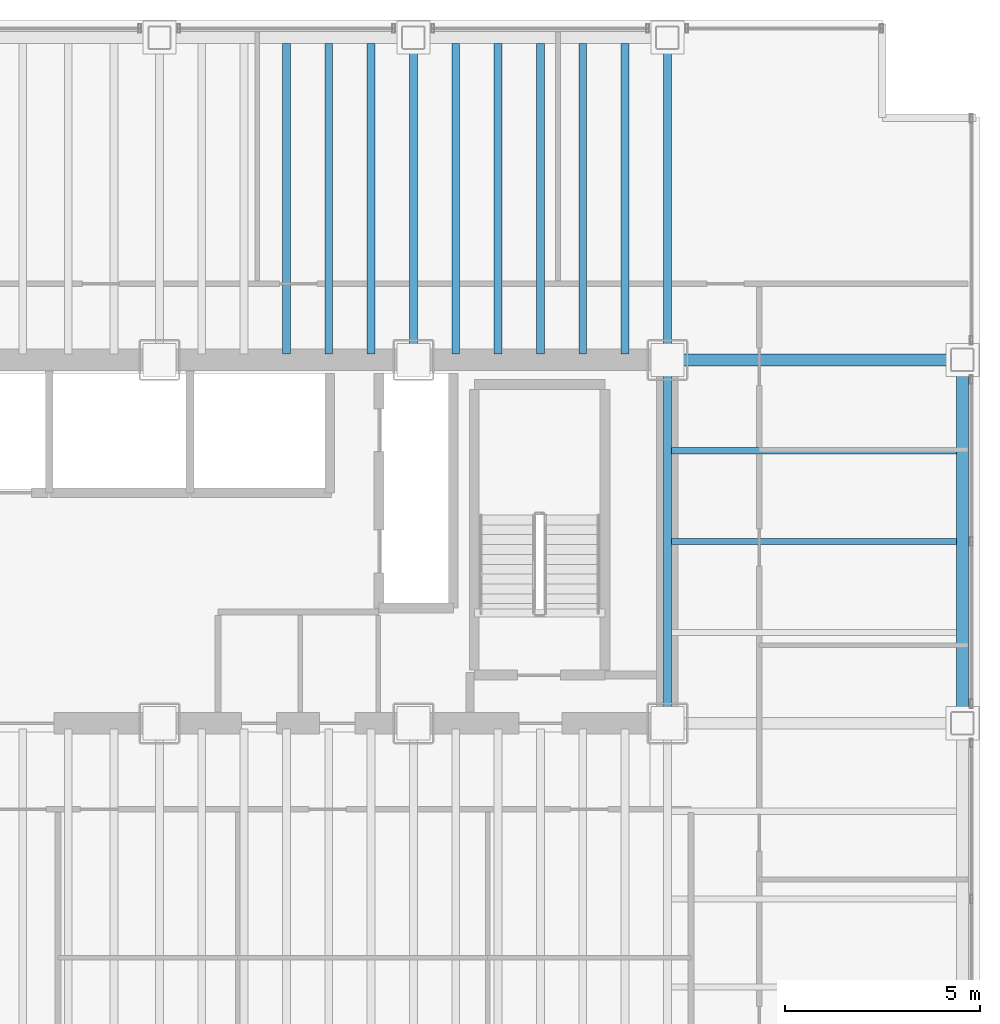
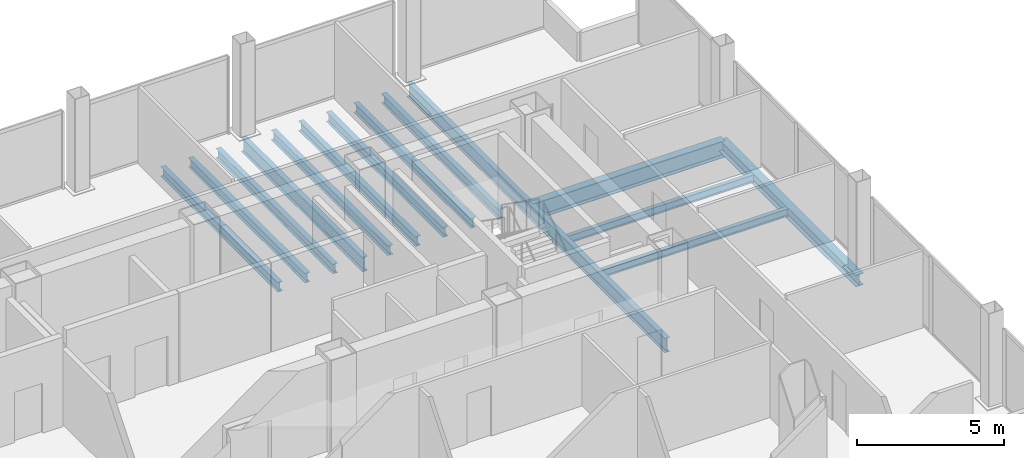
# One storey, part 12 of 21: 15 beams.
"""IFC4 building model written with IfcOpenShell, lengths in metres."""

from ifc_helpers import new_model, si_unit, direction, frame, origin, origin_2d, place, context, subcontext, project, spatial, i_section, extrude, material, material_profile, profile_set, type_object, element, save


model = new_model("IFC4")

# Units and contexts
model_context = context("Model", 3, precision=1e-05, world=origin(), true_north=direction((0.0, 1.0)))
body_context = subcontext(model_context, "Body", "Model", "MODEL_VIEW")
ifc_project = project(units=[si_unit("LENGTHUNIT", "METRE"), si_unit("AREAUNIT", "SQUARE_METRE"), si_unit("VOLUMEUNIT", "CUBIC_METRE"), si_unit("PLANEANGLEUNIT", "RADIAN"), si_unit("MASSUNIT", "GRAM", prefix="KILO")], contexts=[model_context])

# Site, building, storey
site_placement = place(None, origin())
site = spatial("IfcSite", under=ifc_project, at=site_placement, CompositionType="ELEMENT")
building_placement = place(site_placement, origin())
building = spatial("IfcBuilding", under=site, at=building_placement, Name="Noeulbin Bourse Tower", CompositionType="ELEMENT")
storey_placement = place(building_placement, frame((0.0, 0.0, 30.39990234375)))
storey = spatial("IfcBuildingStorey", under=building, at=storey_placement, Name="L07", CompositionType="ELEMENT", Elevation=30.39990234375)

# Beams
ifc_material = material(Name="Steel S355", Category="steel")
ifc_material_profile_1 = material_profile(ifc_material, i_section(OverallWidth=0.199951171875, OverallDepth=0.60009765625, WebThickness=0.010986328125, FlangeThickness=0.01708984375, FilletRadius=0.02197265625, at=origin_2d()), Name="H-600x200x11x17", Category="LoadBearing")
ifc_profile_set_1 = profile_set([ifc_material_profile_1], Name="Steel S355")
beam_type_1 = type_object("IfcBeamType", Name="BM-GRD-600", PredefinedType="USERDEFINED", material=ifc_profile_set_1)
beam_1_placement = place(storey_placement, frame((37.5, 38.300048828125, -0.47998046875), z_axis=(0.0, 1.0, 0.0), x_axis=(-1.0, 0.0, 0.0)))
element("IfcBeam", 1, at=beam_1_placement, inside=storey, type_object=beam_type_1, Name="Tower Primary Girder NS L07-4.4", ObjectType="GIRDER", PredefinedType="USERDEFINED", context=body_context, shape_type="SweptSolid", body=[
    extrude(i_section(OverallWidth=0.199951171875, OverallDepth=0.60009765625, WebThickness=0.010986328125, FlangeThickness=0.01708984375, FilletRadius=0.02197265625, at=origin_2d()), origin(), (0.0, 0.0, 1.0), 8.25),
])
beam_2_placement = place(storey_placement, frame((44.0, 29.0, -0.47998046875), z_axis=(0.0, 1.0, 0.0), x_axis=(-1.0, 0.0, 0.0)))
element("IfcBeam", 2, at=beam_2_placement, inside=storey, type_object=beam_type_1, Name="Tower Primary Girder NS L07-5.3", ObjectType="GIRDER", PredefinedType="USERDEFINED", context=body_context, shape_type="SweptSolid", body=[
    extrude(i_section(OverallWidth=0.199951171875, OverallDepth=0.60009765625, WebThickness=0.010986328125, FlangeThickness=0.01708984375, FilletRadius=0.02197265625, at=origin_2d()), origin(), (0.0, 0.0, 1.0), 9.300048828125),
])
beam_3_placement = place(storey_placement, frame((44.0, 38.300048828125, -0.47998046875), z_axis=(0.0, 1.0, 0.0), x_axis=(-1.0, 0.0, 0.0)))
element("IfcBeam", 3, at=beam_3_placement, inside=storey, type_object=beam_type_1, Name="Tower Primary Girder NS L07-5.4", ObjectType="GIRDER", PredefinedType="USERDEFINED", context=body_context, shape_type="SweptSolid", body=[
    extrude(i_section(OverallWidth=0.199951171875, OverallDepth=0.60009765625, WebThickness=0.010986328125, FlangeThickness=0.01708984375, FilletRadius=0.02197265625, at=origin_2d()), origin(), (0.0, 0.0, 1.0), 8.25),
])
ifc_material_profile_2 = material_profile(ifc_material, i_section(OverallWidth=0.300048828125, OverallDepth=0.699951171875, WebThickness=0.012939453125, FlangeThickness=0.02392578125, FilletRadius=0.02392578125, at=origin_2d()), Name="H-700x300x13x24", Category="LoadBearing")
ifc_profile_set_2 = profile_set([ifc_material_profile_2], Name="Steel S355")
beam_type_2 = type_object("IfcBeamType", Name="BM-GRD-700", PredefinedType="USERDEFINED", material=ifc_profile_set_2)
beam_4_placement = place(storey_placement, frame((44.0, 38.300048828125, -0.52978515625), z_axis=(1.0, 0.0, 0.0), x_axis=(0.0, 1.0, 0.0)))
element("IfcBeam", 4, at=beam_4_placement, inside=storey, type_object=beam_type_2, Name="Tower Primary Girder EW L07-3.6", ObjectType="GIRDER", PredefinedType="USERDEFINED", context=body_context, shape_type="SweptSolid", body=[
    extrude(i_section(OverallWidth=0.300048828125, OverallDepth=0.699951171875, WebThickness=0.012939453125, FlangeThickness=0.02392578125, FilletRadius=0.02392578125, at=origin_2d()), origin(), (0.0, 0.0, 1.0), 7.550048828125),
])
ifc_material_profile_3 = material_profile(ifc_material, i_section(OverallWidth=0.159912109375, OverallDepth=0.320068359375, WebThickness=0.006591796875, FlangeThickness=0.010009765625, FilletRadius=0.012939453125, at=origin_2d()), Name="H-320x160x6.5x10", Category="LoadBearing")
ifc_profile_set_3 = profile_set([ifc_material_profile_3], Name="Steel S355")
beam_type_3 = type_object("IfcBeamType", Name="BM-JST-320", PredefinedType="JOIST", material=ifc_profile_set_3)
for number, where, z_axis, x_axis, name in (
    (5, (44.10009765625, 33.64990234375, -0.33984375), (1.0, 0.0, 0.0), (0.0, 1.0, 0.0), "Wing Composite Joist L07-E79"),
    (6, (44.10009765625, 35.97509765625, -0.33984375), (1.0, 0.0, 0.0), (0.0, 1.0, 0.0), "Wing Composite Joist L07-E80"),
):
    element("IfcBeam", number, at=place(storey_placement, frame(where, z_axis=z_axis, x_axis=x_axis)), inside=storey, type_object=beam_type_3, Name=name, PredefinedType="JOIST", context=body_context, shape_type="SweptSolid", body=[
        extrude(i_section(OverallWidth=0.159912109375, OverallDepth=0.320068359375, WebThickness=0.006591796875, FlangeThickness=0.010009765625, FilletRadius=0.012939453125, at=origin_2d()), origin(), (0.0, 0.0, 1.0), 7.2998046875),
    ])
ifc_material_profile_4 = material_profile(ifc_material, i_section(OverallWidth=0.199951171875, OverallDepth=0.39990234375, WebThickness=0.008056640625, FlangeThickness=0.012939453125, FilletRadius=0.01611328125, at=origin_2d()), Name="H-400x200x8x13", Category="LoadBearing")
ifc_profile_set_4 = profile_set([ifc_material_profile_4], Name="Steel S355")
beam_type_4 = type_object("IfcBeamType", Name="BM-SEC-400", PredefinedType="BEAM", material=ifc_profile_set_4)
for number, where, z_axis, x_axis, name in (
    (7, (34.25, 38.449951171875, -0.3798828125), (0.0, 1.0, 0.0), (-1.0, 0.0, 0.0), "Tower Composite Joist L07-47"),
    (8, (35.333251953125, 38.449951171875, -0.3798828125), (0.0, 1.0, 0.0), (-1.0, 0.0, 0.0), "Tower Composite Joist L07-50"),
    (9, (36.416748046875, 38.449951171875, -0.3798828125), (0.0, 1.0, 0.0), (-1.0, 0.0, 0.0), "Tower Composite Joist L07-53"),
    (10, (38.583251953125, 38.449951171875, -0.3798828125), (0.0, 1.0, 0.0), (-1.0, 0.0, 0.0), "Tower Composite Joist L07-56"),
    (11, (39.666748046875, 38.449951171875, -0.3798828125), (0.0, 1.0, 0.0), (-1.0, 0.0, 0.0), "Tower Composite Joist L07-59"),
    (12, (40.75, 38.449951171875, -0.3798828125), (0.0, 1.0, 0.0), (-1.0, 0.0, 0.0), "Tower Composite Joist L07-62"),
    (13, (41.833251953125, 38.449951171875, -0.3798828125), (0.0, 1.0, 0.0), (-1.0, 0.0, 0.0), "Tower Composite Joist L07-65"),
    (14, (42.916748046875, 38.449951171875, -0.3798828125), (0.0, 1.0, 0.0), (-1.0, 0.0, 0.0), "Tower Composite Joist L07-68"),
):
    element("IfcBeam", number, at=place(storey_placement, frame(where, z_axis=z_axis, x_axis=x_axis)), inside=storey, type_object=beam_type_4, Name=name, PredefinedType="BEAM", context=body_context, shape_type="SweptSolid", body=[
        extrude(i_section(OverallWidth=0.199951171875, OverallDepth=0.39990234375, WebThickness=0.008056640625, FlangeThickness=0.012939453125, FilletRadius=0.01611328125, at=origin_2d()), origin(), (0.0, 0.0, 1.0), 7.949951171875),
    ])
ifc_material_profile_5 = material_profile(ifc_material, i_section(OverallWidth=0.300048828125, OverallDepth=0.488037109375, WebThickness=0.010986328125, FlangeThickness=0.01806640625, FilletRadius=0.02197265625, at=origin_2d()), Name="H-488x300x11x18", Category="LoadBearing")
ifc_profile_set_5 = profile_set([ifc_material_profile_5], Name="Steel S355")
beam_type_5 = type_object("IfcBeamType", Name="BM-SPN-488", PredefinedType="SPANDREL", material=ifc_profile_set_5)
beam_5_placement = place(storey_placement, frame((51.550048828125, 29.0, -0.423828125), z_axis=(0.0, 1.0, 0.0), x_axis=(-1.0, 0.0, 0.0)))
element("IfcBeam", 15, at=beam_5_placement, inside=storey, type_object=beam_type_5, Name="East Spandrel L07-2", PredefinedType="SPANDREL", context=body_context, shape_type="SweptSolid", body=[
    extrude(i_section(OverallWidth=0.300048828125, OverallDepth=0.488037109375, WebThickness=0.010986328125, FlangeThickness=0.01806640625, FilletRadius=0.02197265625, at=origin_2d()), origin(), (0.0, 0.0, 1.0), 9.300048828125),
])

save(model, "model.ifc")
